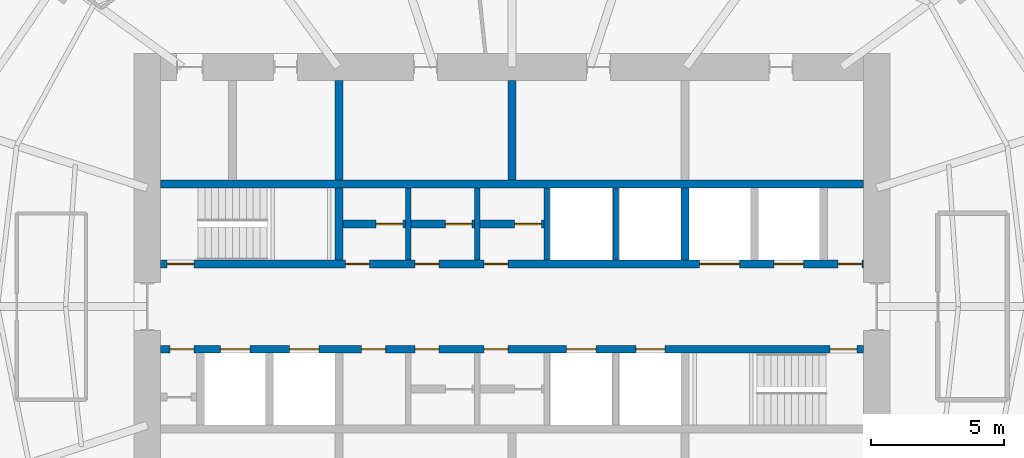
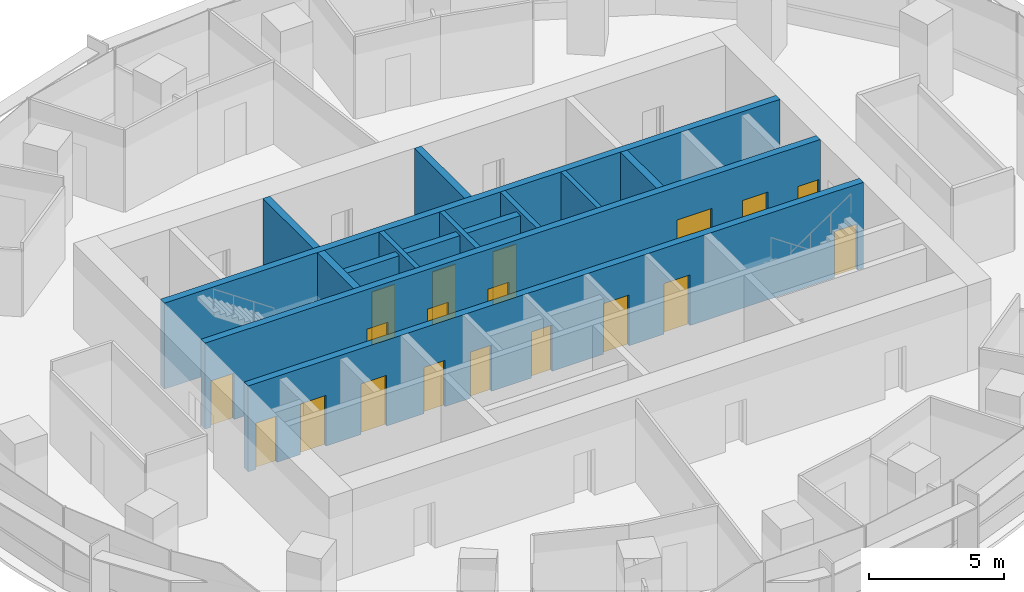
# One storey, part 11 of 15: 19 doors, 14 walls, 19 openings.
"""IFC4 building model written with IfcOpenShell, lengths in metres."""

from ifc_helpers import new_model, si_unit, direction, frame, frame_2d, origin, place, context, subcontext, project, spatial, rectangle, extrude, material, layer, layer_set, type_object, element, fill, save


model = new_model("IFC4")

# Units and contexts
model_context = context("Model", 3, precision=1e-05, world=origin(), true_north=direction((0.0, 1.0)))
body_context = subcontext(model_context, "Body", "Model", "MODEL_VIEW")
ifc_project = project(units=[si_unit("LENGTHUNIT", "METRE"), si_unit("AREAUNIT", "SQUARE_METRE"), si_unit("VOLUMEUNIT", "CUBIC_METRE"), si_unit("PLANEANGLEUNIT", "RADIAN"), si_unit("MASSUNIT", "GRAM", prefix="KILO")], contexts=[model_context])

# Site, building, storey
site_placement = place(None, origin())
site = spatial("IfcSite", under=ifc_project, at=site_placement, CompositionType="ELEMENT")
building_placement = place(site_placement, origin())
building = spatial("IfcBuilding", under=site, at=building_placement, Name="Marramba Exchange Tower", CompositionType="ELEMENT")
storey_placement = place(building_placement, frame((0.0, 0.0, 191.60009765625)))
storey = spatial("IfcBuildingStorey", under=building, at=storey_placement, Name="L46", CompositionType="ELEMENT", Elevation=191.60009765625)

# Walls
ifc_material_1 = material(Name="Concrete N50", Category="concrete")
ifc_layer_1 = layer(ifc_material_1, 0.199951171875)
ifc_layer_set_1 = layer_set([ifc_layer_1], Name="Core shaft wall 200")
wall_type_1 = type_object("IfcWallType", Name="Core shaft wall 200", PredefinedType="SHEAR", material=ifc_layer_set_1)
for number, where, z_axis, x_axis, name in (
    (1, (-3.89990234375, 1.75, 0.0), (0.0, 0.0, 1.0), (0.0, 1.0, 0.0), "Core wall SHN1 L46"),
    (2, (-1.300048828125, 1.75, 0.0), (0.0, 0.0, 1.0), (0.0, 1.0, 0.0), "Core wall SHN2 L46"),
    (3, (1.300048828125, 1.75, 0.0), (0.0, 0.0, 1.0), (0.0, 1.0, 0.0), "Core wall SHN3 L46"),
    (4, (3.89990234375, 1.75, 0.0), (0.0, 0.0, 1.0), (0.0, 1.0, 0.0), "Core wall SHN4 L46"),
):
    element("IfcWall", number, at=place(storey_placement, frame(where, z_axis=z_axis, x_axis=x_axis)), inside=storey, type_object=wall_type_1, Name=name, PredefinedType="SHEAR", context=body_context, shape_type="SweptSolid", body=[
        extrude(rectangle(XDim=2.699951171875, YDim=0.199951171875, at=frame_2d((1.35009765625, 0.0))), origin(), (0.0, 0.0, 1.0), 3.89990234375),
    ])

# Wall, openings, doors
ifc_layer_2 = layer(ifc_material_1, 0.300048828125)
ifc_layer_set_2 = layer_set([ifc_layer_2], Name="Core wall 300")
wall_type_2 = type_object("IfcWallType", Name="Core wall 300", PredefinedType="SHEAR", material=ifc_layer_set_2)
wall_1_placement = place(storey_placement, frame((-13.199951171875, 1.60009765625, 0.0), z_axis=(0.0, 0.0, 1.0), x_axis=(1.0, 0.0, 0.0)))
wall_1 = element("IfcWall", 5, at=wall_1_placement, inside=storey, type_object=wall_type_2, Name="Core wall LN L46", PredefinedType="SHEAR", context=body_context, shape_type="SweptSolid", body=[
    extrude(rectangle(XDim=26.39990234375, YDim=0.300048828125, at=frame_2d((13.199951171875, 0.0))), origin(), (0.0, 0.0, 1.0), 3.89990234375),
])
opening_1_placement = place(wall_1_placement, frame((0.25, 0.0, 0.0)))
opening_1 = element("IfcOpeningElement", 6, at=opening_1_placement, cuts=wall_1, Name="Opening D2", PredefinedType="OPENING", context=body_context, shape_type="SweptSolid", body=[
    extrude(rectangle(XDim=1.0, YDim=2.10009765625, at=frame_2d((0.5, 1.050048828125))), frame((0.0, 0.159912109375, 0.0), z_axis=(0.0, -1.0, 0.0), x_axis=(1.0, 0.0, 0.0)), (0.0, 0.0, 1.0), 0.320068359375),
])
opening_2_placement = place(wall_1_placement, frame((23.050048828125, 0.0, 0.0)))
opening_2 = element("IfcOpeningElement", 7, at=opening_2_placement, cuts=wall_1, Name="Opening LD1", PredefinedType="OPENING", context=body_context, shape_type="SweptSolid", body=[
    extrude(rectangle(XDim=1.10009765625, YDim=2.300048828125, at=frame_2d((0.550048828125, 1.14990234375))), frame((0.0, 0.159912109375, 0.0), z_axis=(0.0, -1.0, 0.0), x_axis=(1.0, 0.0, 0.0)), (0.0, 0.0, 1.0), 0.320068359375),
])
opening_3_placement = place(wall_1_placement, frame((20.25, 0.0, 0.0)))
opening_3 = element("IfcOpeningElement", 8, at=opening_3_placement, cuts=wall_1, Name="Opening LD3", PredefinedType="OPENING", context=body_context, shape_type="SweptSolid", body=[
    extrude(rectangle(XDim=1.5, YDim=2.39990234375, at=frame_2d((0.75, 1.199951171875))), frame((0.0, 0.159912109375, 0.0), z_axis=(0.0, -1.0, 0.0), x_axis=(1.0, 0.0, 0.0)), (0.0, 0.0, 1.0), 0.320068359375),
])
opening_4_placement = place(wall_1_placement, frame((6.949951171875, 0.0, 0.0)))
opening_4 = element("IfcOpeningElement", 9, at=opening_4_placement, cuts=wall_1, Name="Opening D5", PredefinedType="OPENING", context=body_context, shape_type="SweptSolid", body=[
    extrude(rectangle(XDim=0.89990234375, YDim=2.10009765625, at=frame_2d((0.449951171875, 1.050048828125))), frame((0.0, 0.159912109375, 0.0), z_axis=(0.0, -1.0, 0.0), x_axis=(1.0, 0.0, 0.0)), (0.0, 0.0, 1.0), 0.320068359375),
])
opening_5_placement = place(wall_1_placement, frame((9.550048828125, 0.0, 0.0)))
opening_5 = element("IfcOpeningElement", 10, at=opening_5_placement, cuts=wall_1, Name="Opening D5", PredefinedType="OPENING", context=body_context, shape_type="SweptSolid", body=[
    extrude(rectangle(XDim=0.89990234375, YDim=2.10009765625, at=frame_2d((0.449951171875, 1.050048828125))), frame((0.0, 0.159912109375, 0.0), z_axis=(0.0, -1.0, 0.0), x_axis=(1.0, 0.0, 0.0)), (0.0, 0.0, 1.0), 0.320068359375),
])
opening_6_placement = place(wall_1_placement, frame((12.14990234375, 0.0, 0.0)))
opening_6 = element("IfcOpeningElement", 11, at=opening_6_placement, cuts=wall_1, Name="Opening D5", PredefinedType="OPENING", context=body_context, shape_type="SweptSolid", body=[
    extrude(rectangle(XDim=0.89990234375, YDim=2.10009765625, at=frame_2d((0.449951171875, 1.050048828125))), frame((0.0, 0.159912109375, 0.0), z_axis=(0.0, -1.0, 0.0), x_axis=(1.0, 0.0, 0.0)), (0.0, 0.0, 1.0), 0.320068359375),
])
opening_7_placement = place(wall_1_placement, frame((25.449951171875, 0.0, 0.0)))
opening_7 = element("IfcOpeningElement", 12, at=opening_7_placement, cuts=wall_1, Name="Opening D5", PredefinedType="OPENING", context=body_context, shape_type="SweptSolid", body=[
    extrude(rectangle(XDim=0.89990234375, YDim=2.10009765625, at=frame_2d((0.449951171875, 1.050048828125))), frame((0.0, 0.159912109375, 0.0), z_axis=(0.0, -1.0, 0.0), x_axis=(1.0, 0.0, 0.0)), (0.0, 0.0, 1.0), 0.320068359375),
])
ifc_material_2 = material(Name="Steel-framed door", Category="steel")
door_type_1 = type_object("IfcDoorType", Name="Goods lift landing door 1500x2400", OperationType="SLIDING_TO_LEFT", PredefinedType="DOOR", material=ifc_material_2)
door_1_placement = place(opening_3_placement, origin())
door_1 = element("IfcDoor", 13, at=door_1_placement, inside=storey, type_object=door_type_1, Name="GL1 landing door L46", OperationType="SLIDING_TO_LEFT", OverallHeight=2.39990234375, OverallWidth=1.5, PredefinedType="DOOR", context=body_context, shape_type="SweptSolid", body=[
    extrude(rectangle(XDim=1.5, YDim=2.39990234375, at=frame_2d((0.75, 1.199951171875))), frame((0.0, 0.02490234375, 0.0), z_axis=(0.0, -1.0, 0.0), x_axis=(1.0, 0.0, 0.0)), (0.0, 0.0, 1.0), 0.050048828125),
])
fill(opening_3, door_1)
door_type_2 = type_object("IfcDoorType", Name="Lift landing door 1100x2300", OperationType="SLIDING_TO_LEFT", PredefinedType="DOOR", material=ifc_material_2)
door_2_placement = place(opening_2_placement, origin())
door_2 = element("IfcDoor", 14, at=door_2_placement, inside=storey, type_object=door_type_2, Name="LC3 landing door L46", OperationType="SLIDING_TO_LEFT", OverallHeight=2.300048828125, OverallWidth=1.10009765625, PredefinedType="DOOR", context=body_context, shape_type="SweptSolid", body=[
    extrude(rectangle(XDim=1.10009765625, YDim=2.300048828125, at=frame_2d((0.550048828125, 1.14990234375))), frame((0.0, 0.02490234375, 0.0), z_axis=(0.0, -1.0, 0.0), x_axis=(1.0, 0.0, 0.0)), (0.0, 0.0, 1.0), 0.050048828125),
])
fill(opening_2, door_2)
door_type_3 = type_object("IfcDoorType", Name="Service door 900x2100", OperationType="SINGLE_SWING_LEFT", PredefinedType="DOOR", material=ifc_material_2)
door_3_placement = place(opening_4_placement, origin())
door_3 = element("IfcDoor", 15, at=door_3_placement, inside=storey, type_object=door_type_3, Name="D5 switch room L46", OperationType="SINGLE_SWING_LEFT", OverallHeight=2.10009765625, OverallWidth=0.89990234375, PredefinedType="DOOR", context=body_context, shape_type="SweptSolid", body=[
    extrude(rectangle(XDim=0.89990234375, YDim=2.10009765625, at=frame_2d((0.449951171875, 1.050048828125))), frame((0.0, 0.02490234375, 0.0), z_axis=(0.0, -1.0, 0.0), x_axis=(1.0, 0.0, 0.0)), (0.0, 0.0, 1.0), 0.050048828125),
])
fill(opening_4, door_3)
door_4_placement = place(opening_5_placement, origin())
door_4 = element("IfcDoor", 16, at=door_4_placement, inside=storey, type_object=door_type_3, Name="D5 cleaner store L46", OperationType="SINGLE_SWING_LEFT", OverallHeight=2.10009765625, OverallWidth=0.89990234375, PredefinedType="DOOR", context=body_context, shape_type="SweptSolid", body=[
    extrude(rectangle(XDim=0.89990234375, YDim=2.10009765625, at=frame_2d((0.449951171875, 1.050048828125))), frame((0.0, 0.02490234375, 0.0), z_axis=(0.0, -1.0, 0.0), x_axis=(1.0, 0.0, 0.0)), (0.0, 0.0, 1.0), 0.050048828125),
])
fill(opening_5, door_4)
door_5_placement = place(opening_6_placement, origin())
door_5 = element("IfcDoor", 17, at=door_5_placement, inside=storey, type_object=door_type_3, Name="D5 general store L46", OperationType="SINGLE_SWING_LEFT", OverallHeight=2.10009765625, OverallWidth=0.89990234375, PredefinedType="DOOR", context=body_context, shape_type="SweptSolid", body=[
    extrude(rectangle(XDim=0.89990234375, YDim=2.10009765625, at=frame_2d((0.449951171875, 1.050048828125))), frame((0.0, 0.02490234375, 0.0), z_axis=(0.0, -1.0, 0.0), x_axis=(1.0, 0.0, 0.0)), (0.0, 0.0, 1.0), 0.050048828125),
])
fill(opening_6, door_5)
door_6_placement = place(opening_7_placement, origin())
door_6 = element("IfcDoor", 18, at=door_6_placement, inside=storey, type_object=door_type_3, Name="D5 riser L46", OperationType="SINGLE_SWING_RIGHT", OverallHeight=2.10009765625, OverallWidth=0.89990234375, PredefinedType="DOOR", context=body_context, shape_type="SweptSolid", body=[
    extrude(rectangle(XDim=0.89990234375, YDim=2.10009765625, at=frame_2d((0.449951171875, 1.050048828125))), frame((0.0, 0.02490234375, 0.0), z_axis=(0.0, -1.0, 0.0), x_axis=(1.0, 0.0, 0.0)), (0.0, 0.0, 1.0), 0.050048828125),
])
fill(opening_7, door_6)
door_type_4 = type_object("IfcDoorType", Name="Stair door 1000x2100", OperationType="SINGLE_SWING_LEFT", PredefinedType="DOOR", material=ifc_material_2)
door_7_placement = place(opening_1_placement, origin())
door_7 = element("IfcDoor", 19, at=door_7_placement, inside=storey, type_object=door_type_4, Name="D2 stair ST1 L46", OperationType="SINGLE_SWING_LEFT", OverallHeight=2.10009765625, OverallWidth=1.0, PredefinedType="DOOR", context=body_context, shape_type="SweptSolid", body=[
    extrude(rectangle(XDim=1.0, YDim=2.10009765625, at=frame_2d((0.5, 1.050048828125))), frame((0.0, 0.02490234375, 0.0), z_axis=(0.0, -1.0, 0.0), x_axis=(1.0, 0.0, 0.0)), (0.0, 0.0, 1.0), 0.050048828125),
])
fill(opening_1, door_7)

wall_2_placement = place(storey_placement, frame((-13.199951171875, -1.60009765625, 0.0), z_axis=(0.0, 0.0, 1.0), x_axis=(1.0, 0.0, 0.0)))
wall_2 = element("IfcWall", 20, at=wall_2_placement, inside=storey, type_object=wall_type_2, Name="Core wall LS L46", PredefinedType="SHEAR", context=body_context, shape_type="SweptSolid", body=[
    extrude(rectangle(XDim=26.39990234375, YDim=0.300048828125, at=frame_2d((13.199951171875, 0.0))), origin(), (0.0, 0.0, 1.0), 3.89990234375),
])
opening_8_placement = place(wall_2_placement, frame((25.14990234375, 0.0, 0.0)))
opening_8 = element("IfcOpeningElement", 21, at=opening_8_placement, cuts=wall_2, Name="Opening D2", PredefinedType="OPENING", context=body_context, shape_type="SweptSolid", body=[
    extrude(rectangle(XDim=1.0, YDim=2.10009765625, at=frame_2d((0.5, 1.050048828125))), frame((0.0, 0.159912109375, 0.0), z_axis=(0.0, -1.0, 0.0), x_axis=(1.0, 0.0, 0.0)), (0.0, 0.0, 1.0), 0.320068359375),
])
opening_9_placement = place(wall_2_placement, frame((7.550048828125, 0.0, 0.0)))
opening_9 = element("IfcOpeningElement", 22, at=opening_9_placement, cuts=wall_2, Name="Opening D5", PredefinedType="OPENING", context=body_context, shape_type="SweptSolid", body=[
    extrude(rectangle(XDim=0.89990234375, YDim=2.10009765625, at=frame_2d((0.449951171875, 1.050048828125))), frame((0.0, 0.159912109375, 0.0), z_axis=(0.0, -1.0, 0.0), x_axis=(1.0, 0.0, 0.0)), (0.0, 0.0, 1.0), 0.320068359375),
])
opening_10_placement = place(wall_2_placement, frame((9.550048828125, 0.0, 0.0)))
opening_10 = element("IfcOpeningElement", 23, at=opening_10_placement, cuts=wall_2, Name="Opening D5", PredefinedType="OPENING", context=body_context, shape_type="SweptSolid", body=[
    extrude(rectangle(XDim=0.89990234375, YDim=2.10009765625, at=frame_2d((0.449951171875, 1.050048828125))), frame((0.0, 0.159912109375, 0.0), z_axis=(0.0, -1.0, 0.0), x_axis=(1.0, 0.0, 0.0)), (0.0, 0.0, 1.0), 0.320068359375),
])
opening_11_placement = place(wall_2_placement, frame((12.14990234375, 0.0, 0.0)))
opening_11 = element("IfcOpeningElement", 24, at=opening_11_placement, cuts=wall_2, Name="Opening D5", PredefinedType="OPENING", context=body_context, shape_type="SweptSolid", body=[
    extrude(rectangle(XDim=0.89990234375, YDim=2.10009765625, at=frame_2d((0.449951171875, 1.050048828125))), frame((0.0, 0.159912109375, 0.0), z_axis=(0.0, -1.0, 0.0), x_axis=(1.0, 0.0, 0.0)), (0.0, 0.0, 1.0), 0.320068359375),
])
opening_12_placement = place(wall_2_placement, frame((15.25, 0.0, 0.0)))
opening_12 = element("IfcOpeningElement", 25, at=opening_12_placement, cuts=wall_2, Name="Opening LD2", PredefinedType="OPENING", context=body_context, shape_type="SweptSolid", body=[
    extrude(rectangle(XDim=1.10009765625, YDim=2.300048828125, at=frame_2d((0.550048828125, 1.14990234375))), frame((0.0, 0.159912109375, 0.0), z_axis=(0.0, -1.0, 0.0), x_axis=(1.0, 0.0, 0.0)), (0.0, 0.0, 1.0), 0.320068359375),
])
opening_13_placement = place(wall_2_placement, frame((17.85009765625, 0.0, 0.0)))
opening_13 = element("IfcOpeningElement", 26, at=opening_13_placement, cuts=wall_2, Name="Opening LD2", PredefinedType="OPENING", context=body_context, shape_type="SweptSolid", body=[
    extrude(rectangle(XDim=1.10009765625, YDim=2.300048828125, at=frame_2d((0.550048828125, 1.14990234375))), frame((0.0, 0.159912109375, 0.0), z_axis=(0.0, -1.0, 0.0), x_axis=(1.0, 0.0, 0.0)), (0.0, 0.0, 1.0), 0.320068359375),
])
opening_14_placement = place(wall_2_placement, frame((4.85009765625, 0.0, 0.0)))
opening_14 = element("IfcOpeningElement", 27, at=opening_14_placement, cuts=wall_2, Name="Opening LD1", PredefinedType="OPENING", context=body_context, shape_type="SweptSolid", body=[
    extrude(rectangle(XDim=1.10009765625, YDim=2.300048828125, at=frame_2d((0.550048828125, 1.14990234375))), frame((0.0, 0.159912109375, 0.0), z_axis=(0.0, -1.0, 0.0), x_axis=(1.0, 0.0, 0.0)), (0.0, 0.0, 1.0), 0.320068359375),
])
opening_15_placement = place(wall_2_placement, frame((2.25, 0.0, 0.0)))
opening_15 = element("IfcOpeningElement", 28, at=opening_15_placement, cuts=wall_2, Name="Opening LD1", PredefinedType="OPENING", context=body_context, shape_type="SweptSolid", body=[
    extrude(rectangle(XDim=1.10009765625, YDim=2.300048828125, at=frame_2d((0.550048828125, 1.14990234375))), frame((0.0, 0.159912109375, 0.0), z_axis=(0.0, -1.0, 0.0), x_axis=(1.0, 0.0, 0.0)), (0.0, 0.0, 1.0), 0.320068359375),
])
opening_16_placement = place(wall_2_placement, frame((0.35009765625, 0.0, 0.0)))
opening_16 = element("IfcOpeningElement", 29, at=opening_16_placement, cuts=wall_2, Name="Opening D5", PredefinedType="OPENING", context=body_context, shape_type="SweptSolid", body=[
    extrude(rectangle(XDim=0.89990234375, YDim=2.10009765625, at=frame_2d((0.449951171875, 1.050048828125))), frame((0.0, 0.159912109375, 0.0), z_axis=(0.0, -1.0, 0.0), x_axis=(1.0, 0.0, 0.0)), (0.0, 0.0, 1.0), 0.320068359375),
])
door_type_5 = type_object("IfcDoorType", Name="Emergency lift landing door 1100x2300", OperationType="SLIDING_TO_LEFT", PredefinedType="DOOR", material=ifc_material_2)
door_8_placement = place(opening_12_placement, frame((1.10009765625, 0.0, 0.0), z_axis=(0.0, 0.0, 1.0), x_axis=(-1.0, 0.0, 0.0)))
door_8 = element("IfcDoor", 30, at=door_8_placement, inside=storey, type_object=door_type_5, Name="FL1 landing door L46", OperationType="SLIDING_TO_RIGHT", OverallHeight=2.300048828125, OverallWidth=1.10009765625, PredefinedType="DOOR", context=body_context, shape_type="SweptSolid", body=[
    extrude(rectangle(XDim=1.10009765625, YDim=2.300048828125, at=frame_2d((0.550048828125, 1.14990234375))), frame((0.0, 0.025146484375, 0.0), z_axis=(0.0, -1.0, 0.0), x_axis=(1.0, 0.0, 0.0)), (0.0, 0.0, 1.0), 0.050048828125),
])
fill(opening_12, door_8)
door_9_placement = place(opening_13_placement, frame((1.10009765625, 0.0, 0.0), z_axis=(0.0, 0.0, 1.0), x_axis=(-1.0, 0.0, 0.0)))
door_9 = element("IfcDoor", 31, at=door_9_placement, inside=storey, type_object=door_type_5, Name="FL2 landing door L46", OperationType="SLIDING_TO_LEFT", OverallHeight=2.300048828125, OverallWidth=1.10009765625, PredefinedType="DOOR", context=body_context, shape_type="SweptSolid", body=[
    extrude(rectangle(XDim=1.10009765625, YDim=2.300048828125, at=frame_2d((0.550048828125, 1.14990234375))), frame((0.0, 0.025146484375, 0.0), z_axis=(0.0, -1.0, 0.0), x_axis=(1.0, 0.0, 0.0)), (0.0, 0.0, 1.0), 0.050048828125),
])
fill(opening_13, door_9)
door_10_placement = place(opening_14_placement, frame((1.10009765625, 0.0, 0.0), z_axis=(0.0, 0.0, 1.0), x_axis=(-1.0, 0.0, 0.0)))
door_10 = element("IfcDoor", 32, at=door_10_placement, inside=storey, type_object=door_type_2, Name="LC1 landing door L46", OperationType="SLIDING_TO_LEFT", OverallHeight=2.300048828125, OverallWidth=1.10009765625, PredefinedType="DOOR", context=body_context, shape_type="SweptSolid", body=[
    extrude(rectangle(XDim=1.10009765625, YDim=2.300048828125, at=frame_2d((0.550048828125, 1.14990234375))), frame((0.0, 0.025146484375, 0.0), z_axis=(0.0, -1.0, 0.0), x_axis=(1.0, 0.0, 0.0)), (0.0, 0.0, 1.0), 0.050048828125),
])
fill(opening_14, door_10)
door_11_placement = place(opening_15_placement, frame((1.10009765625, 0.0, 0.0), z_axis=(0.0, 0.0, 1.0), x_axis=(-1.0, 0.0, 0.0)))
door_11 = element("IfcDoor", 33, at=door_11_placement, inside=storey, type_object=door_type_2, Name="LC2 landing door L46", OperationType="SLIDING_TO_LEFT", OverallHeight=2.300048828125, OverallWidth=1.10009765625, PredefinedType="DOOR", context=body_context, shape_type="SweptSolid", body=[
    extrude(rectangle(XDim=1.10009765625, YDim=2.300048828125, at=frame_2d((0.550048828125, 1.14990234375))), frame((0.0, 0.025146484375, 0.0), z_axis=(0.0, -1.0, 0.0), x_axis=(1.0, 0.0, 0.0)), (0.0, 0.0, 1.0), 0.050048828125),
])
fill(opening_15, door_11)
door_12_placement = place(opening_9_placement, frame((0.89990234375, 0.0, 0.0), z_axis=(0.0, 0.0, 1.0), x_axis=(-1.0, 0.0, 0.0)))
door_12 = element("IfcDoor", 34, at=door_12_placement, inside=storey, type_object=door_type_3, Name="D5 it equipment room n1 L46", OperationType="SINGLE_SWING_RIGHT", OverallHeight=2.10009765625, OverallWidth=0.89990234375, PredefinedType="DOOR", context=body_context, shape_type="SweptSolid", body=[
    extrude(rectangle(XDim=0.89990234375, YDim=2.10009765625, at=frame_2d((0.449951171875, 1.050048828125))), frame((0.0, 0.025146484375, 0.0), z_axis=(0.0, -1.0, 0.0), x_axis=(1.0, 0.0, 0.0)), (0.0, 0.0, 1.0), 0.050048828125),
])
fill(opening_9, door_12)
door_13_placement = place(opening_10_placement, frame((0.89990234375, 0.0, 0.0), z_axis=(0.0, 0.0, 1.0), x_axis=(-1.0, 0.0, 0.0)))
door_13 = element("IfcDoor", 35, at=door_13_placement, inside=storey, type_object=door_type_3, Name="D5 store room n1 L46", OperationType="SINGLE_SWING_RIGHT", OverallHeight=2.10009765625, OverallWidth=0.89990234375, PredefinedType="DOOR", context=body_context, shape_type="SweptSolid", body=[
    extrude(rectangle(XDim=0.89990234375, YDim=2.10009765625, at=frame_2d((0.449951171875, 1.050048828125))), frame((0.0, 0.025146484375, 0.0), z_axis=(0.0, -1.0, 0.0), x_axis=(1.0, 0.0, 0.0)), (0.0, 0.0, 1.0), 0.050048828125),
])
fill(opening_10, door_13)
door_14_placement = place(opening_11_placement, frame((0.89990234375, 0.0, 0.0), z_axis=(0.0, 0.0, 1.0), x_axis=(-1.0, 0.0, 0.0)))
door_14 = element("IfcDoor", 36, at=door_14_placement, inside=storey, type_object=door_type_3, Name="D5 print room n2 L46", OperationType="SINGLE_SWING_RIGHT", OverallHeight=2.10009765625, OverallWidth=0.89990234375, PredefinedType="DOOR", context=body_context, shape_type="SweptSolid", body=[
    extrude(rectangle(XDim=0.89990234375, YDim=2.10009765625, at=frame_2d((0.449951171875, 1.050048828125))), frame((0.0, 0.025146484375, 0.0), z_axis=(0.0, -1.0, 0.0), x_axis=(1.0, 0.0, 0.0)), (0.0, 0.0, 1.0), 0.050048828125),
])
fill(opening_11, door_14)
door_15_placement = place(opening_16_placement, frame((0.89990234375, 0.0, 0.0), z_axis=(0.0, 0.0, 1.0), x_axis=(-1.0, 0.0, 0.0)))
door_15 = element("IfcDoor", 37, at=door_15_placement, inside=storey, type_object=door_type_3, Name="D5 electrical riser L46", OperationType="SINGLE_SWING_LEFT", OverallHeight=2.10009765625, OverallWidth=0.89990234375, PredefinedType="DOOR", context=body_context, shape_type="SweptSolid", body=[
    extrude(rectangle(XDim=0.89990234375, YDim=2.10009765625, at=frame_2d((0.449951171875, 1.050048828125))), frame((0.0, 0.025146484375, 0.0), z_axis=(0.0, -1.0, 0.0), x_axis=(1.0, 0.0, 0.0)), (0.0, 0.0, 1.0), 0.050048828125),
])
fill(opening_16, door_15)
door_16_placement = place(opening_8_placement, frame((1.0, 0.0, 0.0), z_axis=(0.0, 0.0, 1.0), x_axis=(-1.0, 0.0, 0.0)))
door_16 = element("IfcDoor", 38, at=door_16_placement, inside=storey, type_object=door_type_4, Name="D2 stair ST2 L46", OperationType="SINGLE_SWING_LEFT", OverallHeight=2.10009765625, OverallWidth=1.0, PredefinedType="DOOR", context=body_context, shape_type="SweptSolid", body=[
    extrude(rectangle(XDim=1.0, YDim=2.10009765625, at=frame_2d((0.5, 1.050048828125))), frame((0.0, 0.025146484375, 0.0), z_axis=(0.0, -1.0, 0.0), x_axis=(1.0, 0.0, 0.0)), (0.0, 0.0, 1.0), 0.050048828125),
])
fill(opening_8, door_16)

# Walls
wall_3_placement = place(storey_placement, frame((-13.199951171875, 4.60009765625, 0.0), z_axis=(0.0, 0.0, 1.0), x_axis=(1.0, 0.0, 0.0)))
element("IfcWall", 39, at=wall_3_placement, inside=storey, type_object=wall_type_2, Name="Core wall BN L46", PredefinedType="SHEAR", context=body_context, shape_type="SweptSolid", body=[
    extrude(rectangle(XDim=26.39990234375, YDim=0.300048828125, at=frame_2d((13.199951171875, 0.0))), origin(), (0.0, 0.0, 1.0), 3.89990234375),
])
wall_4_placement = place(storey_placement, frame((-6.5, 1.75, 0.0), z_axis=(0.0, 0.0, 1.0), x_axis=(0.0, 1.0, 0.0)))
element("IfcWall", 40, at=wall_4_placement, inside=storey, type_object=wall_type_2, Name="Core wall X0Na L46", PredefinedType="SHEAR", context=body_context, shape_type="SweptSolid", body=[
    extrude(rectangle(XDim=2.699951171875, YDim=0.300048828125, at=frame_2d((1.35009765625, 0.0))), origin(), (0.0, 0.0, 1.0), 3.89990234375),
])
wall_5_placement = place(storey_placement, frame((-6.5, 4.75, 0.0), z_axis=(0.0, 0.0, 1.0), x_axis=(0.0, 1.0, 0.0)))
element("IfcWall", 41, at=wall_5_placement, inside=storey, type_object=wall_type_2, Name="Core wall X0Nb L46", PredefinedType="SHEAR", context=body_context, shape_type="SweptSolid", body=[
    extrude(rectangle(XDim=3.75, YDim=0.300048828125, at=frame_2d((1.875, 0.0))), origin(), (0.0, 0.0, 1.0), 3.89990234375),
])
wall_6_placement = place(storey_placement, frame((6.5, 1.75, 0.0), z_axis=(0.0, 0.0, 1.0), x_axis=(0.0, 1.0, 0.0)))
element("IfcWall", 42, at=wall_6_placement, inside=storey, type_object=wall_type_2, Name="Core wall X1Na L46", PredefinedType="SHEAR", context=body_context, shape_type="SweptSolid", body=[
    extrude(rectangle(XDim=2.699951171875, YDim=0.300048828125, at=frame_2d((1.35009765625, 0.0))), origin(), (0.0, 0.0, 1.0), 3.89990234375),
])
wall_7_placement = place(storey_placement, frame((0.0, 4.75, 0.0), z_axis=(0.0, 0.0, 1.0), x_axis=(0.0, 1.0, 0.0)))
element("IfcWall", 43, at=wall_7_placement, inside=storey, type_object=wall_type_2, Name="Core wall MN L46", PredefinedType="SHEAR", context=body_context, shape_type="SweptSolid", body=[
    extrude(rectangle(XDim=3.75, YDim=0.300048828125, at=frame_2d((1.875, 0.0))), origin(), (0.0, 0.0, 1.0), 3.89990234375),
])

# Wall, opening, door
ifc_material_3 = material(Name="Plasterboard on steel studs, insulated, unrated", Category="steel")
ifc_layer_3 = layer(ifc_material_3, 0.300048828125)
ifc_layer_set_3 = layer_set([ifc_layer_3], Name="Store partition 300")
wall_type_3 = type_object("IfcWallType", Name="Store partition 300", PredefinedType="PARTITIONING", material=ifc_layer_set_3)
wall_8_placement = place(storey_placement, frame((-6.35009765625, 3.10009765625, 0.0), z_axis=(0.0, 0.0, 1.0), x_axis=(1.0, 0.0, 0.0)))
wall_8 = element("IfcWall", 44, at=wall_8_placement, inside=storey, type_object=wall_type_3, Name="Store partition L46 N1", PredefinedType="PARTITIONING", context=body_context, shape_type="SweptSolid", body=[
    extrude(rectangle(XDim=2.35009765625, YDim=0.300048828125, at=frame_2d((1.175048828125, 0.0))), origin(), (0.0, 0.0, 1.0), 3.739990234375),
])
opening_17_placement = place(wall_8_placement, frame((1.25, 0.0, 0.0)))
opening_17 = element("IfcOpeningElement", 45, at=opening_17_placement, cuts=wall_8, Name="Opening D9", PredefinedType="OPENING", context=body_context, shape_type="SweptSolid", body=[
    extrude(rectangle(XDim=1.0, YDim=2.39990234375, at=frame_2d((0.5, 1.199951171875))), frame((0.0, 0.159912109375, 0.0), z_axis=(0.0, -1.0, 0.0), x_axis=(1.0, 0.0, 0.0)), (0.0, 0.0, 1.0), 0.320068359375),
])
ifc_material_4 = material(Name="Timber door", Category="wood")
door_type_6 = type_object("IfcDoorType", Name="Room door 1000x2400", OperationType="SINGLE_SWING_LEFT", PredefinedType="DOOR", material=ifc_material_4)
door_17_placement = place(opening_17_placement, origin())
door_17 = element("IfcDoor", 46, at=door_17_placement, inside=storey, type_object=door_type_6, Name="D9 store room N1 L46", OperationType="SINGLE_SWING_RIGHT", OverallHeight=2.39990234375, OverallWidth=1.0, PredefinedType="DOOR", context=body_context, shape_type="SweptSolid", body=[
    extrude(rectangle(XDim=1.0, YDim=2.39990234375, at=frame_2d((0.5, 1.199951171875))), frame((0.0, 0.02490234375, 0.0), z_axis=(0.0, -1.0, 0.0), x_axis=(1.0, 0.0, 0.0)), (0.0, 0.0, 1.0), 0.050048828125),
])
fill(opening_17, door_17)

wall_9_placement = place(storey_placement, frame((-3.800048828125, 3.10009765625, 0.0), z_axis=(0.0, 0.0, 1.0), x_axis=(1.0, 0.0, 0.0)))
wall_9 = element("IfcWall", 47, at=wall_9_placement, inside=storey, type_object=wall_type_3, Name="Store partition L46 N2", PredefinedType="PARTITIONING", context=body_context, shape_type="SweptSolid", body=[
    extrude(rectangle(XDim=2.400146484375, YDim=0.300048828125, at=frame_2d((1.2001953125, 0.0))), origin(), (0.0, 0.0, 1.0), 3.739990234375),
])
opening_18_placement = place(wall_9_placement, frame((1.300048828125, 0.0, 0.0)))
opening_18 = element("IfcOpeningElement", 48, at=opening_18_placement, cuts=wall_9, Name="Opening D9", PredefinedType="OPENING", context=body_context, shape_type="SweptSolid", body=[
    extrude(rectangle(XDim=1.0, YDim=2.39990234375, at=frame_2d((0.5, 1.199951171875))), frame((0.0, 0.159912109375, 0.0), z_axis=(0.0, -1.0, 0.0), x_axis=(1.0, 0.0, 0.0)), (0.0, 0.0, 1.0), 0.320068359375),
])
door_18_placement = place(opening_18_placement, origin())
door_18 = element("IfcDoor", 49, at=door_18_placement, inside=storey, type_object=door_type_6, Name="D9 store room N2 L46", OperationType="SINGLE_SWING_RIGHT", OverallHeight=2.39990234375, OverallWidth=1.0, PredefinedType="DOOR", context=body_context, shape_type="SweptSolid", body=[
    extrude(rectangle(XDim=1.0, YDim=2.39990234375, at=frame_2d((0.5, 1.199951171875))), frame((0.0, 0.02490234375, 0.0), z_axis=(0.0, -1.0, 0.0), x_axis=(1.0, 0.0, 0.0)), (0.0, 0.0, 1.0), 0.050048828125),
])
fill(opening_18, door_18)

wall_10_placement = place(storey_placement, frame((-1.199951171875, 3.10009765625, 0.0), z_axis=(0.0, 0.0, 1.0), x_axis=(1.0, 0.0, 0.0)))
wall_10 = element("IfcWall", 50, at=wall_10_placement, inside=storey, type_object=wall_type_3, Name="Store partition L46 N3", PredefinedType="PARTITIONING", context=body_context, shape_type="SweptSolid", body=[
    extrude(rectangle(XDim=2.39990234375, YDim=0.300048828125, at=frame_2d((1.199951171875, 0.0))), origin(), (0.0, 0.0, 1.0), 3.739990234375),
])
opening_19_placement = place(wall_10_placement, frame((1.300048828125, 0.0, 0.0)))
opening_19 = element("IfcOpeningElement", 51, at=opening_19_placement, cuts=wall_10, Name="Opening D9", PredefinedType="OPENING", context=body_context, shape_type="SweptSolid", body=[
    extrude(rectangle(XDim=1.0, YDim=2.39990234375, at=frame_2d((0.5, 1.199951171875))), frame((0.0, 0.159912109375, 0.0), z_axis=(0.0, -1.0, 0.0), x_axis=(1.0, 0.0, 0.0)), (0.0, 0.0, 1.0), 0.320068359375),
])
door_19_placement = place(opening_19_placement, origin())
door_19 = element("IfcDoor", 52, at=door_19_placement, inside=storey, type_object=door_type_6, Name="D9 store room N3 L46", OperationType="SINGLE_SWING_RIGHT", OverallHeight=2.39990234375, OverallWidth=1.0, PredefinedType="DOOR", context=body_context, shape_type="SweptSolid", body=[
    extrude(rectangle(XDim=1.0, YDim=2.39990234375, at=frame_2d((0.5, 1.199951171875))), frame((0.0, 0.02490234375, 0.0), z_axis=(0.0, -1.0, 0.0), x_axis=(1.0, 0.0, 0.0)), (0.0, 0.0, 1.0), 0.050048828125),
])
fill(opening_19, door_19)

save(model, "model.ifc")
